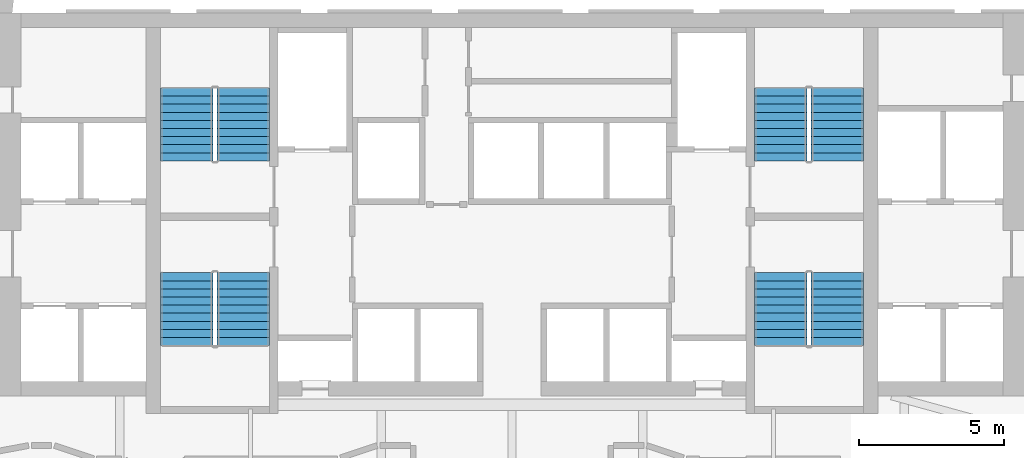
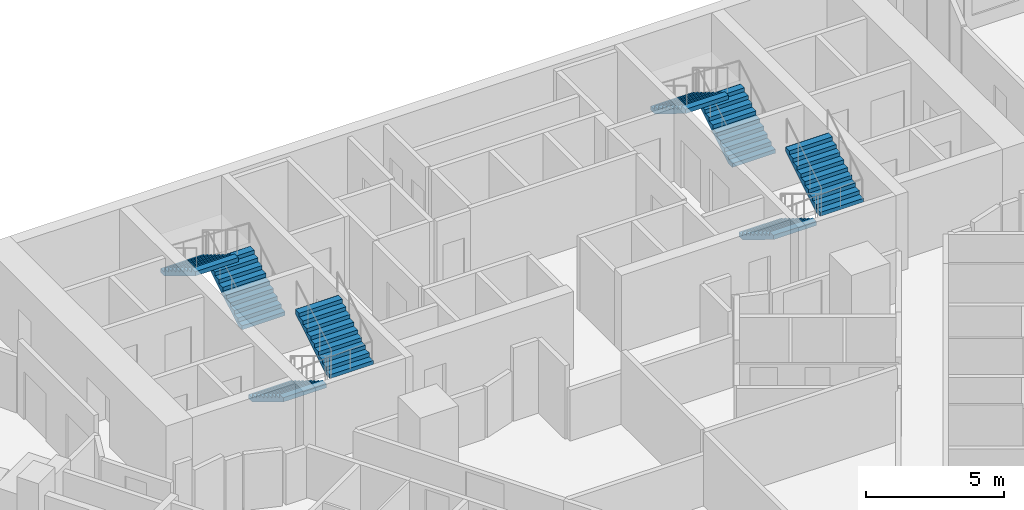
# One storey, part 11 of 12: 8 stair flights, 4 elements without a shape of their own.
"""IFC4 building model written with IfcOpenShell, lengths in metres."""

from ifc_helpers import new_model, si_unit, direction, frame, origin, place, context, subcontext, project, spatial, faceted_brep, source, transform, mapped, material, type_object, element, aggregate, save


model = new_model("IFC4")

# Units and contexts
model_context = context("Model", 3, precision=1e-05, world=origin(), true_north=direction((0.0, 1.0)))
body_context = subcontext(model_context, "Body", "Model", "MODEL_VIEW")
ifc_project = project(units=[si_unit("LENGTHUNIT", "METRE"), si_unit("AREAUNIT", "SQUARE_METRE"), si_unit("VOLUMEUNIT", "CUBIC_METRE"), si_unit("PLANEANGLEUNIT", "RADIAN"), si_unit("MASSUNIT", "GRAM", prefix="KILO")], contexts=[model_context])

# Site, building, storey
site_placement = place(None, origin())
site = spatial("IfcSite", under=ifc_project, at=site_placement, CompositionType="ELEMENT")
building_placement = place(site_placement, origin())
building = spatial("IfcBuilding", under=site, at=building_placement, Name="Calabash Gate Tower", CompositionType="ELEMENT")
storey_placement = place(building_placement, frame((0.0, 0.0, 83.39990234375)))
storey = spatial("IfcBuildingStorey", under=building, at=storey_placement, Name="L17", CompositionType="ELEMENT", Elevation=83.39990234375)

# Stair, stair flights
ifc_material_1 = material(Name="Concrete C40/50", Category="concrete")
stair_type = type_object("IfcStairType", Name="Exit stair 20 risers of 170 mm", PredefinedType="HALF_TURN_STAIR", material=ifc_material_1)
stair_1_placement = place(storey_placement, origin())
stair_1 = element("IfcStair", 1, at=stair_1_placement, inside=storey, type_object=stair_type, Name="L17 Exit stair ST1", PredefinedType="HALF_TURN_STAIR")
ifc_material_2 = material(Name="Concrete C40/50", Category="concrete")
stair_flight_type = type_object("IfcStairFlightType", Name="Exit stair flight SFL", PredefinedType="STRAIGHT", material=ifc_material_2)
shared_shape = source(origin(), body_context, "Body", "Brep", [
    faceted_brep([(-0.0009765625, -0.89990234375, 0.0), (0.2880859375, -0.89990234375, 0.0), (2.511962890625, -0.89990234375, 1.3544921875), (-0.0009765625, 0.89990234375, 0.0), (2.511962890625, 0.89990234375, 1.3544921875), (0.2880859375, 0.89990234375, 0.0), (2.511962890625, -0.89990234375, 1.5419921875), (2.510986328125, -0.89990234375, 1.5419921875), (2.510986328125, 0.89990234375, 1.5419921875), (2.511962890625, 0.89990234375, 1.5419921875), (2.510986328125, -0.89990234375, 1.530029296875), (2.510986328125, 0.89990234375, 1.530029296875), (2.23193359375, -0.89990234375, 1.530029296875), (2.23193359375, 0.89990234375, 1.530029296875), (2.23193359375, -0.89990234375, 1.360107421875), (2.23193359375, 0.89990234375, 1.360107421875), (1.952880859375, -0.89990234375, 1.360107421875), (1.952880859375, 0.89990234375, 1.360107421875), (1.952880859375, -0.89990234375, 1.18994140625), (1.952880859375, 0.89990234375, 1.18994140625), (1.674072265625, -0.89990234375, 1.18994140625), (1.674072265625, -0.89990234375, 1.02001953125), (1.674072265625, 0.89990234375, 1.02001953125), (1.674072265625, 0.89990234375, 1.18994140625), (1.39501953125, -0.89990234375, 1.02001953125), (1.39501953125, -0.89990234375, 0.85009765625), (1.39501953125, 0.89990234375, 0.85009765625), (1.39501953125, 0.89990234375, 1.02001953125), (1.115966796875, -0.89990234375, 0.85009765625), (1.115966796875, -0.89990234375, 0.679931640625), (1.115966796875, 0.89990234375, 0.679931640625), (1.115966796875, 0.89990234375, 0.85009765625), (0.8369140625, -0.89990234375, 0.679931640625), (0.8369140625, -0.89990234375, 0.510009765625), (0.8369140625, 0.89990234375, 0.510009765625), (0.8369140625, 0.89990234375, 0.679931640625), (0.55810546875, -0.89990234375, 0.510009765625), (0.55810546875, -0.89990234375, 0.340087890625), (0.55810546875, 0.89990234375, 0.340087890625), (0.55810546875, 0.89990234375, 0.510009765625), (0.279052734375, -0.89990234375, 0.340087890625), (0.279052734375, -0.89990234375, 0.169921875), (0.279052734375, 0.89990234375, 0.169921875), (0.279052734375, 0.89990234375, 0.340087890625), (-0.0009765625, -0.89990234375, 0.169921875), (-0.0009765625, 0.89990234375, 0.169921875), (0.2880859375, -0.360107421875, 0.0), (2.511962890625, -0.360107421875, 1.3544921875), (0.2880859375, -0.179931640625, 0.0), (2.511962890625, -0.179931640625, 1.3544921875), (0.2880859375, 0.0, 0.0), (2.511962890625, 0.0, 1.3544921875), (0.2880859375, 0.179931640625, 0.0), (2.511962890625, 0.179931640625, 1.3544921875), (0.2880859375, 0.360107421875, 0.0), (2.511962890625, 0.360107421875, 1.3544921875), (2.511962890625, -0.360107421875, 1.5419921875), (2.511962890625, -0.179931640625, 1.5419921875), (2.511962890625, 0.0, 1.5419921875), (2.511962890625, 0.179931640625, 1.5419921875), (2.511962890625, 0.360107421875, 1.5419921875), (2.510986328125, -0.360107421875, 1.5419921875), (2.510986328125, -0.179931640625, 1.5419921875), (2.510986328125, 0.0, 1.5419921875), (2.510986328125, 0.179931640625, 1.5419921875), (2.510986328125, 0.360107421875, 1.5419921875), (2.510986328125, -0.360107421875, 1.530029296875), (2.510986328125, -0.179931640625, 1.530029296875), (2.510986328125, 0.0, 1.530029296875), (2.510986328125, 0.179931640625, 1.530029296875), (2.510986328125, 0.360107421875, 1.530029296875), (2.23193359375, -0.360107421875, 1.530029296875), (2.23193359375, -0.179931640625, 1.530029296875), (2.23193359375, 0.0, 1.530029296875), (2.23193359375, 0.179931640625, 1.530029296875), (2.23193359375, 0.360107421875, 1.530029296875), (2.23193359375, -0.360107421875, 1.360107421875), (2.23193359375, -0.179931640625, 1.360107421875), (2.23193359375, 0.0, 1.360107421875), (2.23193359375, 0.179931640625, 1.360107421875), (2.23193359375, 0.360107421875, 1.360107421875), (1.952880859375, -0.360107421875, 1.360107421875), (1.952880859375, -0.179931640625, 1.360107421875), (1.952880859375, 0.0, 1.360107421875), (1.952880859375, 0.179931640625, 1.360107421875), (1.952880859375, 0.360107421875, 1.360107421875), (1.952880859375, -0.360107421875, 1.18994140625), (1.952880859375, -0.179931640625, 1.18994140625), (1.952880859375, 0.0, 1.18994140625), (1.952880859375, 0.179931640625, 1.18994140625), (1.952880859375, 0.360107421875, 1.18994140625), (1.674072265625, -0.360107421875, 1.18994140625), (1.674072265625, -0.179931640625, 1.18994140625), (1.674072265625, 0.0, 1.18994140625), (1.674072265625, 0.179931640625, 1.18994140625), (1.674072265625, 0.360107421875, 1.18994140625), (1.674072265625, -0.360107421875, 1.02001953125), (1.674072265625, -0.179931640625, 1.02001953125), (1.674072265625, 0.0, 1.02001953125), (1.674072265625, 0.179931640625, 1.02001953125), (1.674072265625, 0.360107421875, 1.02001953125), (1.39501953125, -0.360107421875, 1.02001953125), (1.39501953125, -0.179931640625, 1.02001953125), (1.39501953125, 0.0, 1.02001953125), (1.39501953125, 0.179931640625, 1.02001953125), (1.39501953125, 0.360107421875, 1.02001953125), (1.39501953125, -0.360107421875, 0.85009765625), (1.39501953125, -0.179931640625, 0.85009765625), (1.39501953125, 0.0, 0.85009765625), (1.39501953125, 0.179931640625, 0.85009765625), (1.39501953125, 0.360107421875, 0.85009765625), (1.115966796875, -0.360107421875, 0.85009765625), (1.115966796875, -0.179931640625, 0.85009765625), (1.115966796875, 0.0, 0.85009765625), (1.115966796875, 0.179931640625, 0.85009765625), (1.115966796875, 0.360107421875, 0.85009765625), (1.115966796875, -0.360107421875, 0.679931640625), (1.115966796875, -0.179931640625, 0.679931640625), (1.115966796875, 0.0, 0.679931640625), (1.115966796875, 0.179931640625, 0.679931640625), (1.115966796875, 0.360107421875, 0.679931640625), (0.8369140625, -0.360107421875, 0.679931640625), (0.8369140625, -0.179931640625, 0.679931640625), (0.8369140625, 0.0, 0.679931640625), (0.8369140625, 0.179931640625, 0.679931640625), (0.8369140625, 0.360107421875, 0.679931640625), (0.8369140625, -0.360107421875, 0.510009765625), (0.8369140625, -0.179931640625, 0.510009765625), (0.8369140625, 0.0, 0.510009765625), (0.8369140625, 0.179931640625, 0.510009765625), (0.8369140625, 0.360107421875, 0.510009765625), (0.55810546875, -0.360107421875, 0.510009765625), (0.55810546875, -0.179931640625, 0.510009765625), (0.55810546875, 0.0, 0.510009765625), (0.55810546875, 0.179931640625, 0.510009765625), (0.55810546875, 0.360107421875, 0.510009765625), (0.55810546875, -0.360107421875, 0.340087890625), (0.55810546875, -0.179931640625, 0.340087890625), (0.55810546875, 0.0, 0.340087890625), (0.55810546875, 0.179931640625, 0.340087890625), (0.55810546875, 0.360107421875, 0.340087890625), (0.279052734375, -0.360107421875, 0.340087890625), (0.279052734375, -0.179931640625, 0.340087890625), (0.279052734375, 0.0, 0.340087890625), (0.279052734375, 0.179931640625, 0.340087890625), (0.279052734375, 0.360107421875, 0.340087890625), (0.279052734375, -0.360107421875, 0.169921875), (0.279052734375, -0.179931640625, 0.169921875), (0.279052734375, 0.0, 0.169921875), (0.279052734375, 0.179931640625, 0.169921875), (0.279052734375, 0.360107421875, 0.169921875), (-0.0009765625, -0.360107421875, 0.169921875), (-0.0009765625, -0.179931640625, 0.169921875), (-0.0009765625, 0.0, 0.169921875), (-0.0009765625, 0.179931640625, 0.169921875), (-0.0009765625, 0.360107421875, 0.169921875), (-0.0009765625, -0.360107421875, 0.0), (-0.0009765625, -0.179931640625, 0.0), (-0.0009765625, 0.0, 0.0), (-0.0009765625, 0.179931640625, 0.0), (-0.0009765625, 0.360107421875, 0.0)], [[[0, 1, 2]], [[3, 4, 5]], [[2, 6, 7]], [[4, 8, 9]], [[2, 7, 10]], [[4, 11, 8]], [[2, 10, 12]], [[4, 13, 11]], [[2, 12, 14]], [[4, 15, 13]], [[2, 14, 16]], [[4, 17, 15]], [[2, 16, 18]], [[4, 19, 17]], [[18, 20, 21]], [[19, 22, 23]], [[2, 18, 21]], [[4, 22, 19]], [[21, 24, 25]], [[22, 26, 27]], [[2, 21, 25]], [[4, 26, 22]], [[25, 28, 29]], [[26, 30, 31]], [[2, 25, 29]], [[4, 30, 26]], [[29, 32, 33]], [[30, 34, 35]], [[2, 29, 33]], [[4, 34, 30]], [[33, 36, 37]], [[34, 38, 39]], [[2, 33, 37]], [[4, 38, 34]], [[37, 40, 41]], [[38, 42, 43]], [[2, 37, 41]], [[4, 42, 38]], [[0, 2, 41]], [[3, 42, 4]], [[41, 44, 0]], [[42, 3, 45]], [[1, 46, 2]], [[46, 47, 2]], [[46, 48, 47]], [[48, 49, 47]], [[48, 50, 49]], [[50, 51, 49]], [[50, 52, 53]], [[50, 53, 51]], [[52, 54, 55]], [[52, 55, 53]], [[54, 5, 4]], [[54, 4, 55]], [[2, 47, 6]], [[47, 56, 6]], [[47, 49, 56]], [[49, 57, 56]], [[49, 51, 57]], [[51, 58, 57]], [[51, 53, 59]], [[51, 59, 58]], [[53, 55, 60]], [[53, 60, 59]], [[55, 4, 9]], [[55, 9, 60]], [[6, 56, 7]], [[56, 61, 7]], [[56, 57, 61]], [[57, 62, 61]], [[57, 58, 62]], [[58, 63, 62]], [[58, 59, 64]], [[58, 64, 63]], [[59, 60, 65]], [[59, 65, 64]], [[60, 9, 8]], [[60, 8, 65]], [[7, 61, 10]], [[61, 66, 10]], [[61, 62, 66]], [[62, 67, 66]], [[62, 63, 67]], [[63, 68, 67]], [[63, 64, 69]], [[63, 69, 68]], [[64, 65, 70]], [[64, 70, 69]], [[65, 8, 11]], [[65, 11, 70]], [[10, 66, 12]], [[66, 71, 12]], [[66, 67, 71]], [[67, 72, 71]], [[67, 68, 72]], [[68, 73, 72]], [[68, 69, 74]], [[68, 74, 73]], [[69, 70, 75]], [[69, 75, 74]], [[70, 11, 13]], [[70, 13, 75]], [[12, 71, 14]], [[71, 76, 14]], [[71, 72, 76]], [[72, 77, 76]], [[72, 73, 77]], [[73, 78, 77]], [[73, 74, 79]], [[73, 79, 78]], [[74, 75, 80]], [[74, 80, 79]], [[75, 13, 15]], [[75, 15, 80]], [[14, 76, 16]], [[76, 81, 16]], [[76, 77, 81]], [[77, 82, 81]], [[77, 78, 82]], [[78, 83, 82]], [[78, 79, 84]], [[78, 84, 83]], [[79, 80, 85]], [[79, 85, 84]], [[80, 15, 17]], [[80, 17, 85]], [[16, 81, 18]], [[81, 86, 18]], [[81, 82, 86]], [[82, 87, 86]], [[82, 83, 87]], [[83, 88, 87]], [[83, 84, 89]], [[83, 89, 88]], [[84, 85, 90]], [[84, 90, 89]], [[85, 17, 19]], [[85, 19, 90]], [[18, 86, 20]], [[86, 91, 20]], [[86, 87, 91]], [[87, 92, 91]], [[87, 88, 92]], [[88, 93, 92]], [[88, 89, 94]], [[88, 94, 93]], [[89, 90, 95]], [[89, 95, 94]], [[90, 19, 23]], [[90, 23, 95]], [[20, 91, 21]], [[91, 96, 21]], [[91, 92, 96]], [[92, 97, 96]], [[92, 93, 97]], [[93, 98, 97]], [[93, 94, 99]], [[93, 99, 98]], [[94, 95, 100]], [[94, 100, 99]], [[95, 23, 22]], [[95, 22, 100]], [[21, 96, 24]], [[96, 101, 24]], [[96, 97, 101]], [[97, 102, 101]], [[97, 98, 102]], [[98, 103, 102]], [[98, 99, 104]], [[98, 104, 103]], [[99, 100, 105]], [[99, 105, 104]], [[100, 22, 27]], [[100, 27, 105]], [[24, 101, 25]], [[101, 106, 25]], [[101, 102, 106]], [[102, 107, 106]], [[102, 103, 107]], [[103, 108, 107]], [[103, 104, 109]], [[103, 109, 108]], [[104, 105, 110]], [[104, 110, 109]], [[105, 27, 26]], [[105, 26, 110]], [[25, 106, 28]], [[106, 111, 28]], [[106, 107, 111]], [[107, 112, 111]], [[107, 108, 112]], [[108, 113, 112]], [[108, 109, 114]], [[108, 114, 113]], [[109, 110, 115]], [[109, 115, 114]], [[110, 26, 31]], [[110, 31, 115]], [[28, 111, 29]], [[111, 116, 29]], [[111, 112, 116]], [[112, 117, 116]], [[112, 113, 117]], [[113, 118, 117]], [[113, 114, 119]], [[113, 119, 118]], [[114, 115, 120]], [[114, 120, 119]], [[115, 31, 30]], [[115, 30, 120]], [[29, 116, 32]], [[116, 121, 32]], [[116, 117, 121]], [[117, 122, 121]], [[117, 118, 122]], [[118, 123, 122]], [[118, 119, 124]], [[118, 124, 123]], [[119, 120, 125]], [[119, 125, 124]], [[120, 30, 35]], [[120, 35, 125]], [[32, 121, 33]], [[121, 126, 33]], [[121, 122, 126]], [[122, 127, 126]], [[122, 123, 127]], [[123, 128, 127]], [[123, 124, 129]], [[123, 129, 128]], [[124, 125, 130]], [[124, 130, 129]], [[125, 35, 34]], [[125, 34, 130]], [[33, 126, 36]], [[126, 131, 36]], [[126, 127, 131]], [[127, 132, 131]], [[127, 128, 132]], [[128, 133, 132]], [[128, 129, 134]], [[128, 134, 133]], [[129, 130, 135]], [[129, 135, 134]], [[130, 34, 39]], [[130, 39, 135]], [[36, 131, 37]], [[131, 136, 37]], [[131, 132, 136]], [[132, 137, 136]], [[132, 133, 137]], [[133, 138, 137]], [[133, 134, 139]], [[133, 139, 138]], [[134, 135, 140]], [[134, 140, 139]], [[135, 39, 38]], [[135, 38, 140]], [[37, 136, 40]], [[136, 141, 40]], [[136, 137, 141]], [[137, 142, 141]], [[137, 138, 142]], [[138, 143, 142]], [[138, 139, 144]], [[138, 144, 143]], [[139, 140, 145]], [[139, 145, 144]], [[140, 38, 43]], [[140, 43, 145]], [[40, 141, 41]], [[141, 146, 41]], [[141, 142, 146]], [[142, 147, 146]], [[142, 143, 147]], [[143, 148, 147]], [[143, 144, 149]], [[143, 149, 148]], [[144, 145, 150]], [[144, 150, 149]], [[145, 43, 42]], [[145, 42, 150]], [[41, 146, 44]], [[146, 151, 44]], [[146, 147, 151]], [[147, 152, 151]], [[147, 148, 152]], [[148, 153, 152]], [[148, 149, 154]], [[148, 154, 153]], [[149, 150, 155]], [[149, 155, 154]], [[150, 42, 45]], [[150, 45, 155]], [[44, 151, 0]], [[151, 156, 0]], [[151, 152, 156]], [[152, 157, 156]], [[152, 153, 157]], [[153, 158, 157]], [[153, 154, 159]], [[153, 159, 158]], [[154, 155, 160]], [[154, 160, 159]], [[155, 45, 3]], [[155, 3, 160]], [[0, 156, 1]], [[156, 46, 1]], [[156, 157, 46]], [[157, 48, 46]], [[157, 158, 48]], [[158, 50, 48]], [[158, 159, 52]], [[158, 52, 50]], [[159, 160, 54]], [[159, 54, 52]], [[160, 3, 5]], [[160, 5, 54]]]),
])
stair_flight_1_placement = place(storey_placement, frame((-9.25, 13.95263671875, 0.0), z_axis=(0.0, 0.0, 1.0), x_axis=(0.0, 1.0, 0.0)))
stair_flight_1 = element("IfcStairFlight", 2, at=stair_flight_1_placement, type_object=stair_flight_type, Name="ST1 flight 1", NumberOfRisers=10, NumberOfTreads=9, PredefinedType="STRAIGHT", RiserHeight=0.17, TreadLength=0.279, context=body_context, shape_type="MappedRepresentation", body=[
    mapped(shared_shape, transform((0.0, 0.0, 0.0), scale=1.0)),
])
stair_flight_2_placement = place(storey_placement, frame((-11.199951171875, 16.463623046875, 1.7001953125), z_axis=(0.0, 0.0, 1.0), x_axis=(0.0, -1.0, 0.0)))
stair_flight_2 = element("IfcStairFlight", 3, at=stair_flight_2_placement, type_object=stair_flight_type, Name="ST1 flight 2", NumberOfRisers=10, NumberOfTreads=9, PredefinedType="STRAIGHT", RiserHeight=0.17, TreadLength=0.279, context=body_context, shape_type="MappedRepresentation", body=[
    mapped(shared_shape, transform((0.0, 0.0, 0.0), scale=1.0)),
])
aggregate(stair_1, [stair_flight_1, stair_flight_2])

stair_2_placement = place(storey_placement, origin())
stair_2 = element("IfcStair", 4, at=stair_2_placement, inside=storey, type_object=stair_type, Name="L17 Exit stair ST2", PredefinedType="HALF_TURN_STAIR")
stair_flight_3_placement = place(storey_placement, frame((-11.199951171875, 10.1025390625, 0.0), z_axis=(0.0, 0.0, 1.0), x_axis=(0.0, -1.0, 0.0)))
stair_flight_3 = element("IfcStairFlight", 5, at=stair_flight_3_placement, type_object=stair_flight_type, Name="ST2 flight 1", NumberOfRisers=10, NumberOfTreads=9, PredefinedType="STRAIGHT", RiserHeight=0.17, TreadLength=0.279, context=body_context, shape_type="MappedRepresentation", body=[
    mapped(shared_shape, transform((0.0, 0.0, 0.0), scale=1.0)),
])
stair_flight_4_placement = place(storey_placement, frame((-9.25, 7.591552734375, 1.7001953125), z_axis=(0.0, 0.0, 1.0), x_axis=(0.0, 1.0, 0.0)))
stair_flight_4 = element("IfcStairFlight", 6, at=stair_flight_4_placement, type_object=stair_flight_type, Name="ST2 flight 2", NumberOfRisers=10, NumberOfTreads=9, PredefinedType="STRAIGHT", RiserHeight=0.17, TreadLength=0.279, context=body_context, shape_type="MappedRepresentation", body=[
    mapped(shared_shape, transform((0.0, 0.0, 0.0), scale=1.0)),
])
aggregate(stair_2, [stair_flight_3, stair_flight_4])

stair_3_placement = place(storey_placement, origin())
stair_3 = element("IfcStair", 7, at=stair_3_placement, inside=storey, type_object=stair_type, Name="L17 Exit stair ST3", PredefinedType="HALF_TURN_STAIR")
stair_flight_5_placement = place(storey_placement, frame((11.199951171875, 13.95263671875, 0.0), z_axis=(0.0, 0.0, 1.0), x_axis=(0.0, 1.0, 0.0)))
stair_flight_5 = element("IfcStairFlight", 8, at=stair_flight_5_placement, type_object=stair_flight_type, Name="ST3 flight 1", NumberOfRisers=10, NumberOfTreads=9, PredefinedType="STRAIGHT", RiserHeight=0.17, TreadLength=0.279, context=body_context, shape_type="MappedRepresentation", body=[
    mapped(shared_shape, transform((0.0, 0.0, 0.0), scale=1.0)),
])
stair_flight_6_placement = place(storey_placement, frame((9.25, 16.463623046875, 1.7001953125), z_axis=(0.0, 0.0, 1.0), x_axis=(0.0, -1.0, 0.0)))
stair_flight_6 = element("IfcStairFlight", 9, at=stair_flight_6_placement, type_object=stair_flight_type, Name="ST3 flight 2", NumberOfRisers=10, NumberOfTreads=9, PredefinedType="STRAIGHT", RiserHeight=0.17, TreadLength=0.279, context=body_context, shape_type="MappedRepresentation", body=[
    mapped(shared_shape, transform((0.0, 0.0, 0.0), scale=1.0)),
])
aggregate(stair_3, [stair_flight_5, stair_flight_6])

stair_4_placement = place(storey_placement, origin())
stair_4 = element("IfcStair", 10, at=stair_4_placement, inside=storey, type_object=stair_type, Name="L17 Exit stair ST4", PredefinedType="HALF_TURN_STAIR")
stair_flight_7_placement = place(storey_placement, frame((9.25, 10.1025390625, 0.0), z_axis=(0.0, 0.0, 1.0), x_axis=(0.0, -1.0, 0.0)))
stair_flight_7 = element("IfcStairFlight", 11, at=stair_flight_7_placement, type_object=stair_flight_type, Name="ST4 flight 1", NumberOfRisers=10, NumberOfTreads=9, PredefinedType="STRAIGHT", RiserHeight=0.17, TreadLength=0.279, context=body_context, shape_type="MappedRepresentation", body=[
    mapped(shared_shape, transform((0.0, 0.0, 0.0), scale=1.0)),
])
stair_flight_8_placement = place(storey_placement, frame((11.199951171875, 7.591552734375, 1.7001953125), z_axis=(0.0, 0.0, 1.0), x_axis=(0.0, 1.0, 0.0)))
stair_flight_8 = element("IfcStairFlight", 12, at=stair_flight_8_placement, type_object=stair_flight_type, Name="ST4 flight 2", NumberOfRisers=10, NumberOfTreads=9, PredefinedType="STRAIGHT", RiserHeight=0.17, TreadLength=0.279, context=body_context, shape_type="MappedRepresentation", body=[
    mapped(shared_shape, transform((0.0, 0.0, 0.0), scale=1.0)),
])
aggregate(stair_4, [stair_flight_7, stair_flight_8])

save(model, "model.ifc")
